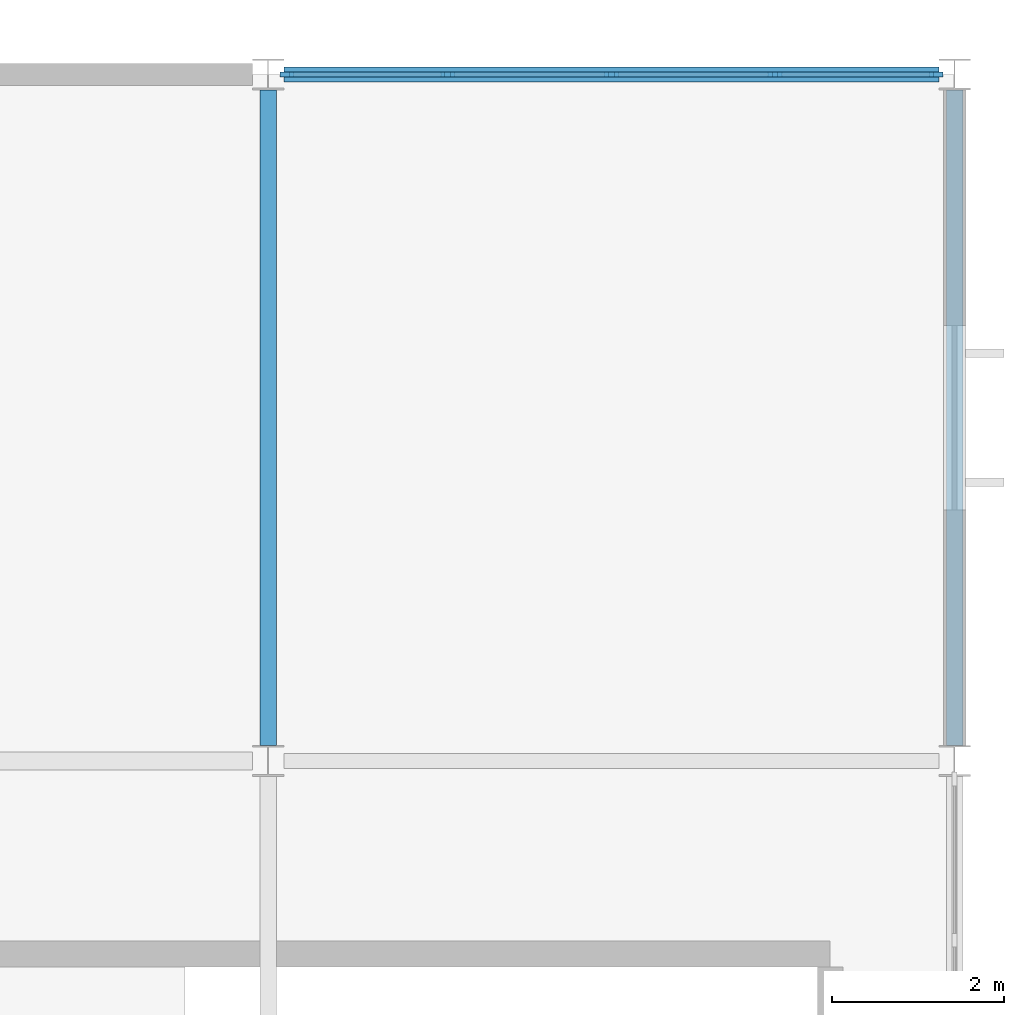
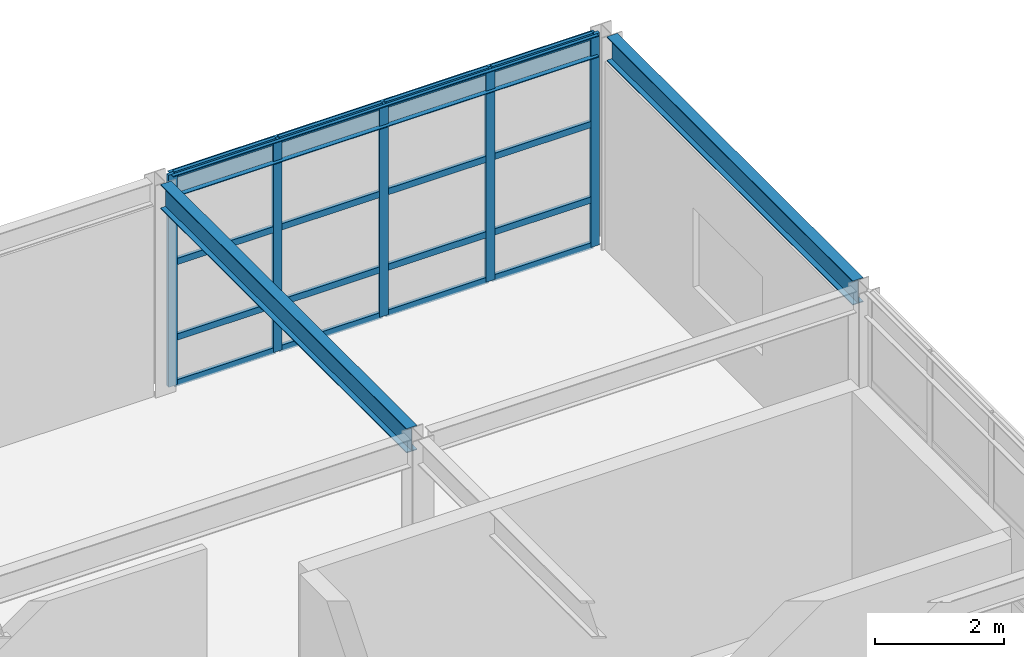
# One storey, part 20 of 34: 21 members, 3 beams, 1 element without a shape of its own.
"""IFC4 building model written with IfcOpenShell, lengths in metres."""

from ifc_helpers import new_model, si_unit, direction, frame, origin, origin_2d, place, context, subcontext, project, spatial, rectangle, i_section, extrude, material, layer, layer_set, material_profile, profile_set, type_object, element, aggregate, save


model = new_model("IFC4")

# Units and contexts
model_context = context("Model", 3, precision=1e-05, world=origin(), true_north=direction((0.0, 1.0)))
body_context = subcontext(model_context, "Body", "Model", "MODEL_VIEW")
ifc_project = project(units=[si_unit("LENGTHUNIT", "METRE"), si_unit("AREAUNIT", "SQUARE_METRE"), si_unit("VOLUMEUNIT", "CUBIC_METRE"), si_unit("PLANEANGLEUNIT", "RADIAN"), si_unit("MASSUNIT", "GRAM", prefix="KILO")], contexts=[model_context])

# Site, building, storey
site_placement = place(None, origin())
site = spatial("IfcSite", under=ifc_project, at=site_placement, CompositionType="ELEMENT")
building_placement = place(site_placement, origin())
building = spatial("IfcBuilding", under=site, at=building_placement, Name="Varnela Railside Interchange", CompositionType="ELEMENT")
storey_placement = place(building_placement, frame((0.0, 0.0, 19.60009765625)))
storey = spatial("IfcBuildingStorey", under=building, at=storey_placement, Name="L04", CompositionType="ELEMENT", Elevation=19.60009765625)

# Curtain wall, members
ifc_material_1 = material(Name="Aluminium 6063-T6", Category="aluminium")
ifc_layer = layer(ifc_material_1, 0.035888671875)
ifc_layer_set = layer_set([ifc_layer], Name="Aluminium 6063-T6")
curtain_wall_type = type_object("IfcCurtainWallType", Name="Study Pavilion Gallery Curtain Wall CW-02", PredefinedType="USERDEFINED", material=ifc_layer_set)
curtain_wall_placement = place(storey_placement, origin())
curtain_wall = element("IfcCurtainWall", 1, at=curtain_wall_placement, inside=storey, type_object=curtain_wall_type, Name="Curtain Wall CW-02 (L04) (CW-119)", ObjectType="CURTAIN WALL", PredefinedType="USERDEFINED")
ifc_material_profile_1 = material_profile(ifc_material_1, rectangle(XDim=0.06005859375, YDim=0.159912109375, at=origin_2d()), Name="ALU 60x160")
ifc_profile_set_1 = profile_set([ifc_material_profile_1], Name="Aluminium 6063-T6")
member_type_1 = type_object("IfcMemberType", Name="Curtain Wall Mullion ML-02", PredefinedType="MULLION", material=ifc_profile_set_1)
member_1_placement = place(storey_placement, frame((132.215087890625, 94.0, 0.0), z_axis=(0.0, 0.0, 1.0), x_axis=(0.0, 1.0, 0.0)))
member_1 = element("IfcMember", 2, at=member_1_placement, type_object=member_type_1, Name="CW-02 mullion 1", PredefinedType="MULLION", context=body_context, shape_type="SweptSolid", body=[
    extrude(rectangle(XDim=0.06005859375, YDim=0.159912109375, at=origin_2d()), origin(), (0.0, 0.0, 1.0), 4.02001953125),
])
member_2_placement = place(storey_placement, frame((134.092529296875, 94.0, 0.0), z_axis=(0.0, 0.0, 1.0), x_axis=(0.0, 1.0, 0.0)))
member_2 = element("IfcMember", 3, at=member_2_placement, type_object=member_type_1, Name="CW-02 mullion 2", PredefinedType="MULLION", context=body_context, shape_type="SweptSolid", body=[
    extrude(rectangle(XDim=0.06005859375, YDim=0.159912109375, at=origin_2d()), origin(), (0.0, 0.0, 1.0), 4.02001953125),
])
member_3_placement = place(storey_placement, frame((136.0, 94.0, 0.0), z_axis=(0.0, 0.0, 1.0), x_axis=(0.0, 1.0, 0.0)))
member_3 = element("IfcMember", 4, at=member_3_placement, type_object=member_type_1, Name="CW-02 mullion 3", PredefinedType="MULLION", context=body_context, shape_type="SweptSolid", body=[
    extrude(rectangle(XDim=0.06005859375, YDim=0.159912109375, at=origin_2d()), origin(), (0.0, 0.0, 1.0), 4.02001953125),
])
member_4_placement = place(storey_placement, frame((137.907470703125, 94.0, 0.0), z_axis=(0.0, 0.0, 1.0), x_axis=(0.0, 1.0, 0.0)))
member_4 = element("IfcMember", 5, at=member_4_placement, type_object=member_type_1, Name="CW-02 mullion 4", PredefinedType="MULLION", context=body_context, shape_type="SweptSolid", body=[
    extrude(rectangle(XDim=0.06005859375, YDim=0.159912109375, at=origin_2d()), origin(), (0.0, 0.0, 1.0), 4.02001953125),
])
member_5_placement = place(storey_placement, frame((139.784912109375, 94.0, 0.0), z_axis=(0.0, 0.0, 1.0), x_axis=(0.0, 1.0, 0.0)))
member_5 = element("IfcMember", 6, at=member_5_placement, type_object=member_type_1, Name="CW-02 mullion 5", PredefinedType="MULLION", context=body_context, shape_type="SweptSolid", body=[
    extrude(rectangle(XDim=0.06005859375, YDim=0.159912109375, at=origin_2d()), origin(), (0.0, 0.0, 1.0), 4.02001953125),
])
ifc_material_profile_2 = material_profile(ifc_material_1, rectangle(XDim=0.06005859375, YDim=0.1201171875, at=origin_2d()), Name="ALU 60x120")
ifc_profile_set_2 = profile_set([ifc_material_profile_2], Name="Aluminium 6063-T6")
member_type_2 = type_object("IfcMemberType", Name="Curtain Wall Transom TR-02", PredefinedType="USERDEFINED", material=ifc_profile_set_2)
member_6_placement = place(storey_placement, frame((132.2451171875, 94.0, 0.02978515625), z_axis=(1.0, 0.0, 0.0), x_axis=(0.0, 1.0, 0.0)))
member_6 = element("IfcMember", 7, at=member_6_placement, type_object=member_type_2, Name="CW-02 transom 1.1", ObjectType="TRANSOM", PredefinedType="USERDEFINED", context=body_context, shape_type="SweptSolid", body=[
    extrude(rectangle(XDim=0.06005859375, YDim=0.1201171875, at=origin_2d()), origin(), (0.0, 0.0, 1.0), 1.8173828125),
])
member_7_placement = place(storey_placement, frame((132.2451171875, 94.0, 0.89990234375), z_axis=(1.0, 0.0, 0.0), x_axis=(0.0, 1.0, 0.0)))
member_7 = element("IfcMember", 8, at=member_7_placement, type_object=member_type_2, Name="CW-02 transom 1.2", ObjectType="TRANSOM", PredefinedType="USERDEFINED", context=body_context, shape_type="SweptSolid", body=[
    extrude(rectangle(XDim=0.06005859375, YDim=0.1201171875, at=origin_2d()), origin(), (0.0, 0.0, 1.0), 1.8173828125),
])
member_8_placement = place(storey_placement, frame((132.2451171875, 94.0, 2.33154296875), z_axis=(1.0, 0.0, 0.0), x_axis=(0.0, 1.0, 0.0)))
member_8 = element("IfcMember", 9, at=member_8_placement, type_object=member_type_2, Name="CW-02 transom 1.3", ObjectType="TRANSOM", PredefinedType="USERDEFINED", context=body_context, shape_type="SweptSolid", body=[
    extrude(rectangle(XDim=0.06005859375, YDim=0.1201171875, at=origin_2d()), origin(), (0.0, 0.0, 1.0), 1.8173828125),
])
member_9_placement = place(storey_placement, frame((132.2451171875, 94.0, 3.989990234375), z_axis=(1.0, 0.0, 0.0), x_axis=(0.0, 1.0, 0.0)))
member_9 = element("IfcMember", 10, at=member_9_placement, type_object=member_type_2, Name="CW-02 transom 1.4", ObjectType="TRANSOM", PredefinedType="USERDEFINED", context=body_context, shape_type="SweptSolid", body=[
    extrude(rectangle(XDim=0.06005859375, YDim=0.1201171875, at=origin_2d()), origin(), (0.0, 0.0, 1.0), 1.8173828125),
])
member_10_placement = place(storey_placement, frame((134.12255859375, 94.0, 0.02978515625), z_axis=(1.0, 0.0, 0.0), x_axis=(0.0, 1.0, 0.0)))
member_10 = element("IfcMember", 11, at=member_10_placement, type_object=member_type_2, Name="CW-02 transom 2.1", ObjectType="TRANSOM", PredefinedType="USERDEFINED", context=body_context, shape_type="SweptSolid", body=[
    extrude(rectangle(XDim=0.06005859375, YDim=0.1201171875, at=origin_2d()), origin(), (0.0, 0.0, 1.0), 1.847412109375),
])
member_11_placement = place(storey_placement, frame((134.12255859375, 94.0, 0.89990234375), z_axis=(1.0, 0.0, 0.0), x_axis=(0.0, 1.0, 0.0)))
member_11 = element("IfcMember", 12, at=member_11_placement, type_object=member_type_2, Name="CW-02 transom 2.2", ObjectType="TRANSOM", PredefinedType="USERDEFINED", context=body_context, shape_type="SweptSolid", body=[
    extrude(rectangle(XDim=0.06005859375, YDim=0.1201171875, at=origin_2d()), origin(), (0.0, 0.0, 1.0), 1.847412109375),
])
member_12_placement = place(storey_placement, frame((134.12255859375, 94.0, 2.33154296875), z_axis=(1.0, 0.0, 0.0), x_axis=(0.0, 1.0, 0.0)))
member_12 = element("IfcMember", 13, at=member_12_placement, type_object=member_type_2, Name="CW-02 transom 2.3", ObjectType="TRANSOM", PredefinedType="USERDEFINED", context=body_context, shape_type="SweptSolid", body=[
    extrude(rectangle(XDim=0.06005859375, YDim=0.1201171875, at=origin_2d()), origin(), (0.0, 0.0, 1.0), 1.847412109375),
])
member_13_placement = place(storey_placement, frame((134.12255859375, 94.0, 3.989990234375), z_axis=(1.0, 0.0, 0.0), x_axis=(0.0, 1.0, 0.0)))
member_13 = element("IfcMember", 14, at=member_13_placement, type_object=member_type_2, Name="CW-02 transom 2.4", ObjectType="TRANSOM", PredefinedType="USERDEFINED", context=body_context, shape_type="SweptSolid", body=[
    extrude(rectangle(XDim=0.06005859375, YDim=0.1201171875, at=origin_2d()), origin(), (0.0, 0.0, 1.0), 1.847412109375),
])
member_14_placement = place(storey_placement, frame((136.030029296875, 94.0, 0.02978515625), z_axis=(1.0, 0.0, 0.0), x_axis=(0.0, 1.0, 0.0)))
member_14 = element("IfcMember", 15, at=member_14_placement, type_object=member_type_2, Name="CW-02 transom 3.1", ObjectType="TRANSOM", PredefinedType="USERDEFINED", context=body_context, shape_type="SweptSolid", body=[
    extrude(rectangle(XDim=0.06005859375, YDim=0.1201171875, at=origin_2d()), origin(), (0.0, 0.0, 1.0), 1.847412109375),
])
member_15_placement = place(storey_placement, frame((136.030029296875, 94.0, 0.89990234375), z_axis=(1.0, 0.0, 0.0), x_axis=(0.0, 1.0, 0.0)))
member_15 = element("IfcMember", 16, at=member_15_placement, type_object=member_type_2, Name="CW-02 transom 3.2", ObjectType="TRANSOM", PredefinedType="USERDEFINED", context=body_context, shape_type="SweptSolid", body=[
    extrude(rectangle(XDim=0.06005859375, YDim=0.1201171875, at=origin_2d()), origin(), (0.0, 0.0, 1.0), 1.847412109375),
])
member_16_placement = place(storey_placement, frame((136.030029296875, 94.0, 2.33154296875), z_axis=(1.0, 0.0, 0.0), x_axis=(0.0, 1.0, 0.0)))
member_16 = element("IfcMember", 17, at=member_16_placement, type_object=member_type_2, Name="CW-02 transom 3.3", ObjectType="TRANSOM", PredefinedType="USERDEFINED", context=body_context, shape_type="SweptSolid", body=[
    extrude(rectangle(XDim=0.06005859375, YDim=0.1201171875, at=origin_2d()), origin(), (0.0, 0.0, 1.0), 1.847412109375),
])
member_17_placement = place(storey_placement, frame((136.030029296875, 94.0, 3.989990234375), z_axis=(1.0, 0.0, 0.0), x_axis=(0.0, 1.0, 0.0)))
member_17 = element("IfcMember", 18, at=member_17_placement, type_object=member_type_2, Name="CW-02 transom 3.4", ObjectType="TRANSOM", PredefinedType="USERDEFINED", context=body_context, shape_type="SweptSolid", body=[
    extrude(rectangle(XDim=0.06005859375, YDim=0.1201171875, at=origin_2d()), origin(), (0.0, 0.0, 1.0), 1.847412109375),
])
member_18_placement = place(storey_placement, frame((137.9375, 94.0, 0.02978515625), z_axis=(1.0, 0.0, 0.0), x_axis=(0.0, 1.0, 0.0)))
member_18 = element("IfcMember", 19, at=member_18_placement, type_object=member_type_2, Name="CW-02 transom 4.1", ObjectType="TRANSOM", PredefinedType="USERDEFINED", context=body_context, shape_type="SweptSolid", body=[
    extrude(rectangle(XDim=0.06005859375, YDim=0.1201171875, at=origin_2d()), origin(), (0.0, 0.0, 1.0), 1.8173828125),
])
member_19_placement = place(storey_placement, frame((137.9375, 94.0, 0.89990234375), z_axis=(1.0, 0.0, 0.0), x_axis=(0.0, 1.0, 0.0)))
member_19 = element("IfcMember", 20, at=member_19_placement, type_object=member_type_2, Name="CW-02 transom 4.2", ObjectType="TRANSOM", PredefinedType="USERDEFINED", context=body_context, shape_type="SweptSolid", body=[
    extrude(rectangle(XDim=0.06005859375, YDim=0.1201171875, at=origin_2d()), origin(), (0.0, 0.0, 1.0), 1.8173828125),
])
member_20_placement = place(storey_placement, frame((137.9375, 94.0, 2.33154296875), z_axis=(1.0, 0.0, 0.0), x_axis=(0.0, 1.0, 0.0)))
member_20 = element("IfcMember", 21, at=member_20_placement, type_object=member_type_2, Name="CW-02 transom 4.3", ObjectType="TRANSOM", PredefinedType="USERDEFINED", context=body_context, shape_type="SweptSolid", body=[
    extrude(rectangle(XDim=0.06005859375, YDim=0.1201171875, at=origin_2d()), origin(), (0.0, 0.0, 1.0), 1.8173828125),
])
member_21_placement = place(storey_placement, frame((137.9375, 94.0, 3.989990234375), z_axis=(1.0, 0.0, 0.0), x_axis=(0.0, 1.0, 0.0)))
member_21 = element("IfcMember", 22, at=member_21_placement, type_object=member_type_2, Name="CW-02 transom 4.4", ObjectType="TRANSOM", PredefinedType="USERDEFINED", context=body_context, shape_type="SweptSolid", body=[
    extrude(rectangle(XDim=0.06005859375, YDim=0.1201171875, at=origin_2d()), origin(), (0.0, 0.0, 1.0), 1.8173828125),
])
aggregate(curtain_wall, [member_1, member_2, member_3, member_4, member_5, member_6, member_7, member_8, member_9, member_10, member_11, member_12, member_13, member_14, member_15, member_16, member_17, member_18, member_19, member_20, member_21])

# Beams
ifc_material_2 = material(Name="Steel AR 350 (350 MPa)", Category="steel")
ifc_material_profile_3 = material_profile(ifc_material_2, i_section(OverallWidth=0.19091796875, OverallDepth=0.4599609375, WebThickness=0.010009765625, FlangeThickness=0.01611328125, at=origin_2d()), Name="W460x82")
ifc_profile_set_3 = profile_set([ifc_material_profile_3], Name="Steel AR 350 (350 MPa)")
beam_type_1 = type_object("IfcBeamType", Name="Steel Perimeter Spandrel SP-01", PredefinedType="SPANDREL", material=ifc_profile_set_3)
for number, where, z_axis, x_axis, name in (
    (23, (132.0, 86.179931640625, 3.789794921875), (0.0, 1.0, 0.0), (-1.0, 0.0, 0.0), "Steel Perimeter Spandrel SP-01 (L04) (BM-2491)"),
    (24, (140.0, 86.179931640625, 3.789794921875), (0.0, 1.0, 0.0), (-1.0, 0.0, 0.0), "Steel Perimeter Spandrel SP-01 (L04) (BM-2496)"),
):
    element("IfcBeam", number, at=place(storey_placement, frame(where, z_axis=z_axis, x_axis=x_axis)), inside=storey, type_object=beam_type_1, Name=name, PredefinedType="SPANDREL", context=body_context, shape_type="SweptSolid", body=[
        extrude(i_section(OverallWidth=0.19091796875, OverallDepth=0.4599609375, WebThickness=0.010009765625, FlangeThickness=0.01611328125, at=origin_2d()), origin(), (0.0, 0.0, 1.0), 7.64013671875),
    ])
ifc_material_profile_4 = material_profile(ifc_material_2, i_section(OverallWidth=0.178955078125, OverallDepth=0.409912109375, WebThickness=0.0087890625, FlangeThickness=0.014404296875, at=origin_2d()), Name="W410x67")
ifc_profile_set_4 = profile_set([ifc_material_profile_4], Name="Steel AR 350 (350 MPa)")
beam_type_2 = type_object("IfcBeamType", Name="Steel Terrace Spandrel SP-02", PredefinedType="SPANDREL", material=ifc_profile_set_4)
beam_placement = place(storey_placement, frame((132.18505859375, 94.0, 3.81494140625), z_axis=(1.0, 0.0, 0.0), x_axis=(0.0, 1.0, 0.0)))
element("IfcBeam", 25, at=beam_placement, inside=storey, type_object=beam_type_2, Name="Steel Terrace Spandrel SP-02 (L04) (BM-2471)", PredefinedType="SPANDREL", context=body_context, shape_type="SweptSolid", body=[
    extrude(i_section(OverallWidth=0.178955078125, OverallDepth=0.409912109375, WebThickness=0.0087890625, FlangeThickness=0.014404296875, at=origin_2d()), origin(), (0.0, 0.0, 1.0), 7.6298828125),
])

save(model, "model.ifc")
